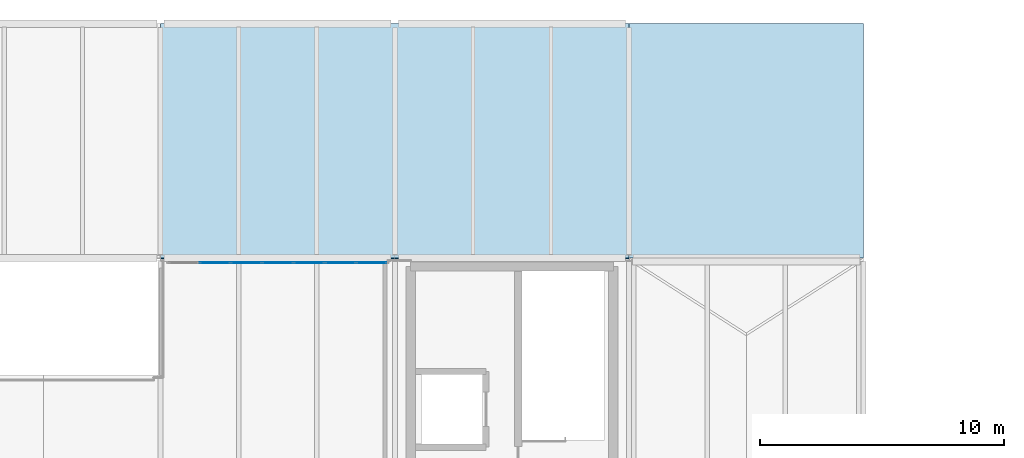
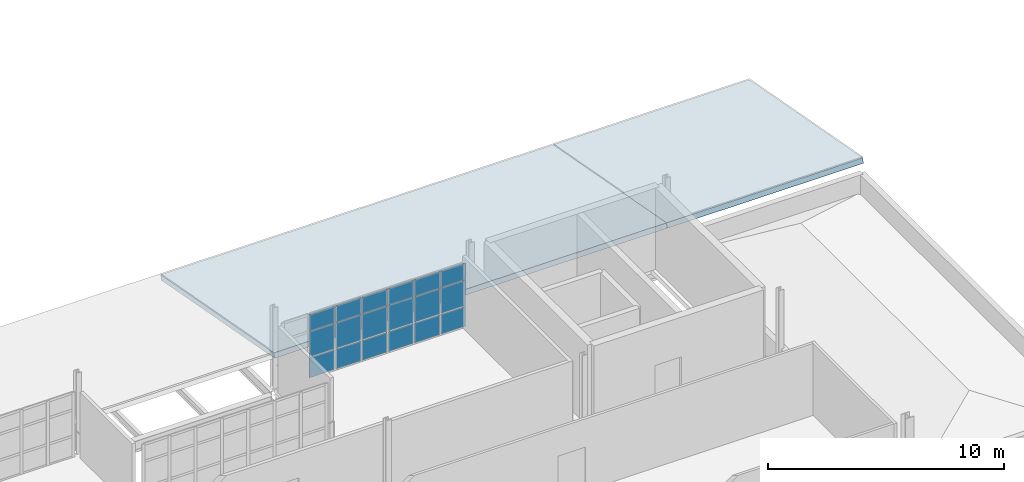
# One storey, part 37 of 58: 18 plates, 2 slabs, 1 element without a shape of its own.
"""IFC4 building model written with IfcOpenShell, lengths in metres."""

from ifc_helpers import new_model, si_unit, direction, frame, origin, origin_2d, place, context, subcontext, project, spatial, polyline, rectangle, outline, extrude, material, layer, layer_set, type_object, element, aggregate, save


model = new_model("IFC4")

# Units and contexts
model_context = context("Model", 3, precision=1e-05, world=origin(), true_north=direction((0.0, 1.0)))
body_context = subcontext(model_context, "Body", "Model", "MODEL_VIEW")
ifc_project = project(units=[si_unit("LENGTHUNIT", "METRE"), si_unit("AREAUNIT", "SQUARE_METRE"), si_unit("VOLUMEUNIT", "CUBIC_METRE"), si_unit("PLANEANGLEUNIT", "RADIAN"), si_unit("MASSUNIT", "GRAM", prefix="KILO")], contexts=[model_context])

# Site, building, storey
site_placement = place(None, origin())
site = spatial("IfcSite", under=ifc_project, at=site_placement, CompositionType="ELEMENT")
building_placement = place(site_placement, origin())
building = spatial("IfcBuilding", under=site, at=building_placement, Name="Yeouljin Market Hall", CompositionType="ELEMENT")
storey_placement = place(building_placement, frame((0.0, 0.0, 10.800048828125)))
storey = spatial("IfcBuildingStorey", under=building, at=storey_placement, Name="L02", CompositionType="ELEMENT", Elevation=10.800048828125)

# Curtain wall, plates
ifc_material_1 = material(Name="Thermally Broken Aluminium", Category="aluminium")
ifc_layer_1 = layer(ifc_material_1, 0.14990234375)
ifc_layer_set_1 = layer_set([ifc_layer_1], Name="Thermally Broken Aluminium")
curtain_wall_type = type_object("IfcCurtainWallType", Name="CW_AcademyRibbon_System", PredefinedType="USERDEFINED", material=ifc_layer_set_1)
curtain_wall_placement = place(storey_placement, origin())
curtain_wall = element("IfcCurtainWall", 1, at=curtain_wall_placement, inside=storey, type_object=curtain_wall_type, Name="Curtain wall CW-L02-W17", ObjectType="CURTAIN WALL", PredefinedType="USERDEFINED")
ifc_material_2 = material(Name="Low-E Insulated Glass", Category="glass")
ifc_layer_2 = layer(ifc_material_2, 0.028076171875)
ifc_layer_set_2 = layer_set([ifc_layer_2], Name="Low-E Insulated Glass")
plate_type = type_object("IfcPlateType", Name="CWPanel_LowE_28", PredefinedType="CURTAIN_PANEL", material=ifc_layer_set_2)
plate_1_placement = place(storey_placement, frame((95.228515625, 98.199951171875, 0.0478515625), z_axis=(0.0, 0.0, 1.0), x_axis=(1.0, 0.0, 0.0)))
plate_1 = element("IfcPlate", 2, at=plate_1_placement, type_object=plate_type, Name="CW-05 panel 2.1", PredefinedType="CURTAIN_PANEL", context=body_context, shape_type="SweptSolid", body=[
    extrude(rectangle(XDim=1.23779296875, YDim=0.028076171875, at=origin_2d()), origin(), (0.0, 0.0, 1.0), 1.028076171875),
])
plate_2_placement = place(storey_placement, frame((95.228515625, 98.199951171875, 1.1240234375), z_axis=(0.0, 0.0, 1.0), x_axis=(1.0, 0.0, 0.0)))
plate_2 = element("IfcPlate", 3, at=plate_2_placement, type_object=plate_type, Name="CW-05 panel 2.2", PredefinedType="CURTAIN_PANEL", context=body_context, shape_type="SweptSolid", body=[
    extrude(rectangle(XDim=1.23779296875, YDim=0.028076171875, at=origin_2d()), origin(), (0.0, 0.0, 1.0), 1.302001953125),
])
plate_3_placement = place(storey_placement, frame((95.228515625, 98.199951171875, 2.47412109375), z_axis=(0.0, 0.0, 1.0), x_axis=(1.0, 0.0, 0.0)))
plate_3 = element("IfcPlate", 4, at=plate_3_placement, type_object=plate_type, Name="CW-05 panel 2.3", PredefinedType="CURTAIN_PANEL", context=body_context, shape_type="SweptSolid", body=[
    extrude(rectangle(XDim=1.23779296875, YDim=0.028076171875, at=origin_2d()), origin(), (0.0, 0.0, 1.0), 0.827880859375),
])
plate_4_placement = place(storey_placement, frame((96.514404296875, 98.199951171875, 0.0478515625), z_axis=(0.0, 0.0, 1.0), x_axis=(1.0, 0.0, 0.0)))
plate_4 = element("IfcPlate", 5, at=plate_4_placement, type_object=plate_type, Name="CW-05 panel 3.1", PredefinedType="CURTAIN_PANEL", context=body_context, shape_type="SweptSolid", body=[
    extrude(rectangle(XDim=1.23779296875, YDim=0.028076171875, at=origin_2d()), origin(), (0.0, 0.0, 1.0), 1.028076171875),
])
plate_5_placement = place(storey_placement, frame((96.514404296875, 98.199951171875, 1.1240234375), z_axis=(0.0, 0.0, 1.0), x_axis=(1.0, 0.0, 0.0)))
plate_5 = element("IfcPlate", 6, at=plate_5_placement, type_object=plate_type, Name="CW-05 panel 3.2", PredefinedType="CURTAIN_PANEL", context=body_context, shape_type="SweptSolid", body=[
    extrude(rectangle(XDim=1.23779296875, YDim=0.028076171875, at=origin_2d()), origin(), (0.0, 0.0, 1.0), 1.302001953125),
])
plate_6_placement = place(storey_placement, frame((96.514404296875, 98.199951171875, 2.47412109375), z_axis=(0.0, 0.0, 1.0), x_axis=(1.0, 0.0, 0.0)))
plate_6 = element("IfcPlate", 7, at=plate_6_placement, type_object=plate_type, Name="CW-05 panel 3.3", PredefinedType="CURTAIN_PANEL", context=body_context, shape_type="SweptSolid", body=[
    extrude(rectangle(XDim=1.23779296875, YDim=0.028076171875, at=origin_2d()), origin(), (0.0, 0.0, 1.0), 0.827880859375),
])
plate_7_placement = place(storey_placement, frame((97.800048828125, 98.199951171875, 0.0478515625), z_axis=(0.0, 0.0, 1.0), x_axis=(1.0, 0.0, 0.0)))
plate_7 = element("IfcPlate", 8, at=plate_7_placement, type_object=plate_type, Name="CW-05 panel 4.1", PredefinedType="CURTAIN_PANEL", context=body_context, shape_type="SweptSolid", body=[
    extrude(rectangle(XDim=1.23779296875, YDim=0.028076171875, at=origin_2d()), origin(), (0.0, 0.0, 1.0), 1.028076171875),
])
plate_8_placement = place(storey_placement, frame((97.800048828125, 98.199951171875, 1.1240234375), z_axis=(0.0, 0.0, 1.0), x_axis=(1.0, 0.0, 0.0)))
plate_8 = element("IfcPlate", 9, at=plate_8_placement, type_object=plate_type, Name="CW-05 panel 4.2", PredefinedType="CURTAIN_PANEL", context=body_context, shape_type="SweptSolid", body=[
    extrude(rectangle(XDim=1.23779296875, YDim=0.028076171875, at=origin_2d()), origin(), (0.0, 0.0, 1.0), 1.302001953125),
])
plate_9_placement = place(storey_placement, frame((97.800048828125, 98.199951171875, 2.47412109375), z_axis=(0.0, 0.0, 1.0), x_axis=(1.0, 0.0, 0.0)))
plate_9 = element("IfcPlate", 10, at=plate_9_placement, type_object=plate_type, Name="CW-05 panel 4.3", PredefinedType="CURTAIN_PANEL", context=body_context, shape_type="SweptSolid", body=[
    extrude(rectangle(XDim=1.23779296875, YDim=0.028076171875, at=origin_2d()), origin(), (0.0, 0.0, 1.0), 0.827880859375),
])
plate_10_placement = place(storey_placement, frame((99.085693359375, 98.199951171875, 0.0478515625), z_axis=(0.0, 0.0, 1.0), x_axis=(1.0, 0.0, 0.0)))
plate_10 = element("IfcPlate", 11, at=plate_10_placement, type_object=plate_type, Name="CW-05 panel 5.1", PredefinedType="CURTAIN_PANEL", context=body_context, shape_type="SweptSolid", body=[
    extrude(rectangle(XDim=1.23779296875, YDim=0.028076171875, at=origin_2d()), origin(), (0.0, 0.0, 1.0), 1.028076171875),
])
plate_11_placement = place(storey_placement, frame((99.085693359375, 98.199951171875, 1.1240234375), z_axis=(0.0, 0.0, 1.0), x_axis=(1.0, 0.0, 0.0)))
plate_11 = element("IfcPlate", 12, at=plate_11_placement, type_object=plate_type, Name="CW-05 panel 5.2", PredefinedType="CURTAIN_PANEL", context=body_context, shape_type="SweptSolid", body=[
    extrude(rectangle(XDim=1.23779296875, YDim=0.028076171875, at=origin_2d()), origin(), (0.0, 0.0, 1.0), 1.302001953125),
])
plate_12_placement = place(storey_placement, frame((99.085693359375, 98.199951171875, 2.47412109375), z_axis=(0.0, 0.0, 1.0), x_axis=(1.0, 0.0, 0.0)))
plate_12 = element("IfcPlate", 13, at=plate_12_placement, type_object=plate_type, Name="CW-05 panel 5.3", PredefinedType="CURTAIN_PANEL", context=body_context, shape_type="SweptSolid", body=[
    extrude(rectangle(XDim=1.23779296875, YDim=0.028076171875, at=origin_2d()), origin(), (0.0, 0.0, 1.0), 0.827880859375),
])
plate_13_placement = place(storey_placement, frame((100.371337890625, 98.199951171875, 0.0478515625), z_axis=(0.0, 0.0, 1.0), x_axis=(1.0, 0.0, 0.0)))
plate_13 = element("IfcPlate", 14, at=plate_13_placement, type_object=plate_type, Name="CW-05 panel 6.1", PredefinedType="CURTAIN_PANEL", context=body_context, shape_type="SweptSolid", body=[
    extrude(rectangle(XDim=1.23779296875, YDim=0.028076171875, at=origin_2d()), origin(), (0.0, 0.0, 1.0), 1.028076171875),
])
plate_14_placement = place(storey_placement, frame((100.371337890625, 98.199951171875, 1.1240234375), z_axis=(0.0, 0.0, 1.0), x_axis=(1.0, 0.0, 0.0)))
plate_14 = element("IfcPlate", 15, at=plate_14_placement, type_object=plate_type, Name="CW-05 panel 6.2", PredefinedType="CURTAIN_PANEL", context=body_context, shape_type="SweptSolid", body=[
    extrude(rectangle(XDim=1.23779296875, YDim=0.028076171875, at=origin_2d()), origin(), (0.0, 0.0, 1.0), 1.302001953125),
])
plate_15_placement = place(storey_placement, frame((100.371337890625, 98.199951171875, 2.47412109375), z_axis=(0.0, 0.0, 1.0), x_axis=(1.0, 0.0, 0.0)))
plate_15 = element("IfcPlate", 16, at=plate_15_placement, type_object=plate_type, Name="CW-05 panel 6.3", PredefinedType="CURTAIN_PANEL", context=body_context, shape_type="SweptSolid", body=[
    extrude(rectangle(XDim=1.23779296875, YDim=0.028076171875, at=origin_2d()), origin(), (0.0, 0.0, 1.0), 0.827880859375),
])
plate_16_placement = place(storey_placement, frame((101.645263671875, 98.199951171875, 0.0478515625), z_axis=(0.0, 0.0, 1.0), x_axis=(1.0, 0.0, 0.0)))
plate_16 = element("IfcPlate", 17, at=plate_16_placement, type_object=plate_type, Name="CW-05 panel 7.1", PredefinedType="CURTAIN_PANEL", context=body_context, shape_type="SweptSolid", body=[
    extrude(rectangle(XDim=1.213623046875, YDim=0.028076171875, at=origin_2d()), origin(), (0.0, 0.0, 1.0), 1.028076171875),
])
plate_17_placement = place(storey_placement, frame((101.645263671875, 98.199951171875, 1.1240234375), z_axis=(0.0, 0.0, 1.0), x_axis=(1.0, 0.0, 0.0)))
plate_17 = element("IfcPlate", 18, at=plate_17_placement, type_object=plate_type, Name="CW-05 panel 7.2", PredefinedType="CURTAIN_PANEL", context=body_context, shape_type="SweptSolid", body=[
    extrude(rectangle(XDim=1.213623046875, YDim=0.028076171875, at=origin_2d()), origin(), (0.0, 0.0, 1.0), 1.302001953125),
])
plate_18_placement = place(storey_placement, frame((101.645263671875, 98.199951171875, 2.47412109375), z_axis=(0.0, 0.0, 1.0), x_axis=(1.0, 0.0, 0.0)))
plate_18 = element("IfcPlate", 19, at=plate_18_placement, type_object=plate_type, Name="CW-05 panel 7.3", PredefinedType="CURTAIN_PANEL", context=body_context, shape_type="SweptSolid", body=[
    extrude(rectangle(XDim=1.213623046875, YDim=0.028076171875, at=origin_2d()), origin(), (0.0, 0.0, 1.0), 0.827880859375),
])
aggregate(curtain_wall, [plate_1, plate_2, plate_3, plate_4, plate_5, plate_6, plate_7, plate_8, plate_9, plate_10, plate_11, plate_12, plate_13, plate_14, plate_15, plate_16, plate_17, plate_18])

# Slabs
ifc_material_3 = material(Name="Concrete C30/37", Category="concrete")
ifc_layer_3 = layer(ifc_material_3, 0.260009765625)
ifc_layer_set_3 = layer_set([ifc_layer_3], Name="Concrete C30/37")
slab_type = type_object("IfcSlabType", Name="SLB_ROOF_195", PredefinedType="ROOF", material=ifc_layer_set_3)
slab_1_placement = place(storey_placement, frame((93.0, 98.39990234375, 1.780029296875), z_axis=(0.0, 0.182310419234, 0.983241023879), x_axis=(0.0, 0.983241023879, -0.182310419234)))
element("IfcSlab", 20, at=slab_1_placement, inside=storey, type_object=slab_type, Name="North cold-store sloped roof deck 3", PredefinedType="ROOF", context=body_context, shape_type="SweptSolid", body=[
    extrude(outline(polyline([(0.0, 0.0), (9.763727736232205, 0.0), (9.763727736232205, -19.199951171875), (0.0, -19.199951171875), (0.0, 0.0)])), origin(), (0.0, 0.0, -1.0), 0.260009765625),
])
slab_2_placement = place(storey_placement, frame((112.199951171875, 98.39990234375, 1.780029296875), z_axis=(0.0, 0.182310419234, 0.983241023879), x_axis=(0.0, 0.983241023879, -0.182310419234)))
element("IfcSlab", 21, at=slab_2_placement, inside=storey, type_object=slab_type, Name="North cold-store sloped roof deck 4", PredefinedType="ROOF", context=body_context, shape_type="SweptSolid", body=[
    extrude(outline(polyline([(0.0, 0.0), (9.763727736232205, 0.0), (9.763727736232205, -9.60009765625), (0.0, -9.60009765625), (0.0, 0.0)])), origin(), (0.0, 0.0, -1.0), 0.260009765625),
])

save(model, "model.ifc")
